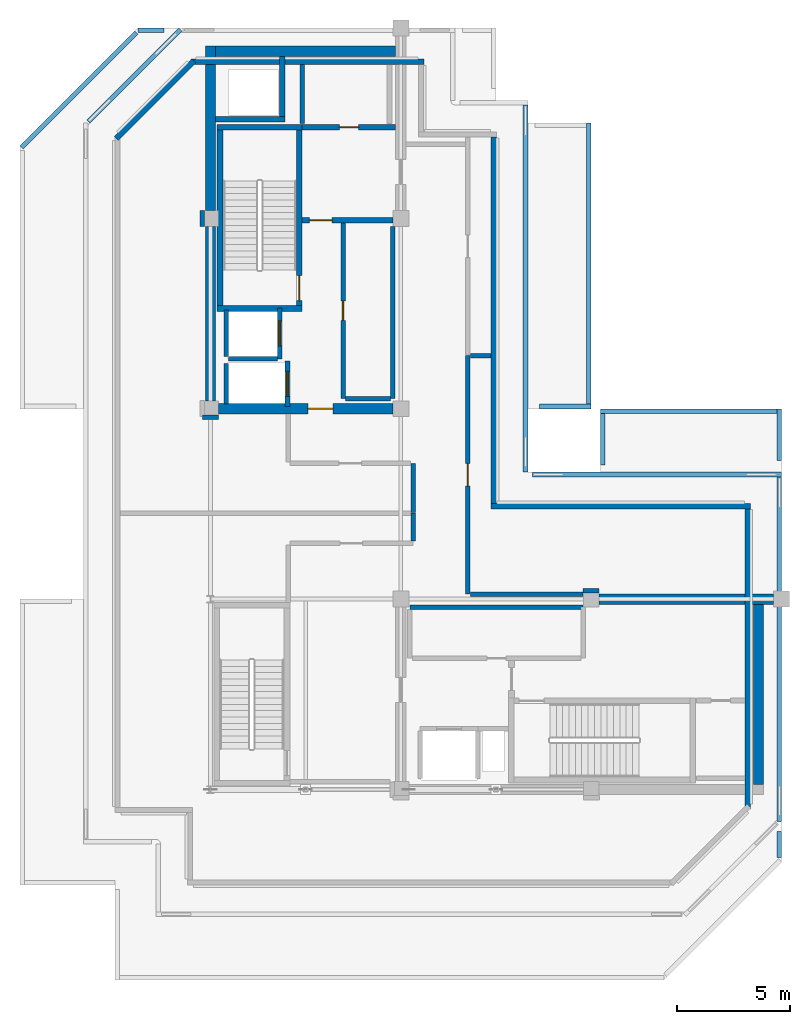
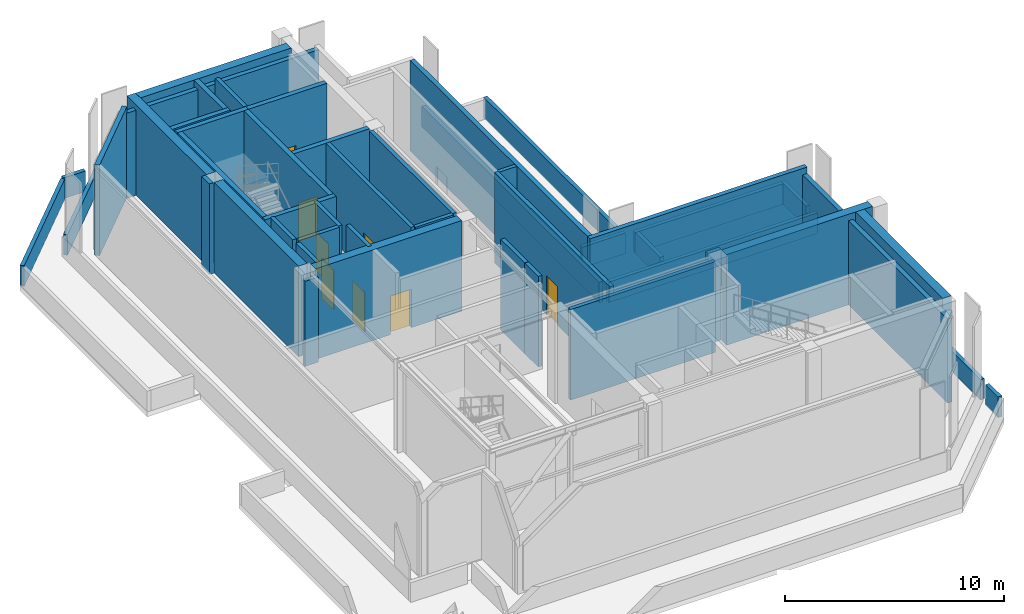
# One storey, part 5 of 9: 49 walls, 8 doors, 8 openings.
"""IFC4 building model written with IfcOpenShell, lengths in metres."""

import ifcopenshell
import ifcopenshell.guid

model = None  # the IFC model being written
_history = None  # IfcOwnerHistory: only IFC2X3 demands one
_inside = {}  # id of a spatial element -> (the spatial element, [elements in it])
_under = {}  # id of a project, library or spatial element -> (it, [spatial elements below it])
_declared = {}  # id of a project -> (the project, [libraries it declares])
_typed = {}  # id of a type object -> (the type object, [elements of that type])
_made_of = {}  # id of a material, layer set ... -> (it, [elements and type objects made of it])


def new_model(schema):
    """Start an empty IFC model of exactly this schema.

    Asked for "IFC4X3", IfcOpenShell would pick the latest addendum, in which some entities
    have other attributes; the version numbers below select the first issue.
    IFC2X3 requires an IfcOwnerHistory on every rooted entity: one is made here for all.
    """
    global model, _history
    if schema == "IFC4X3":
        model = ifcopenshell.file(schema_version=(4, 3, 0, 0))
    else:
        model = ifcopenshell.file(schema=schema)
    _inside.clear()
    _under.clear()
    _declared.clear()
    _typed.clear()
    _made_of.clear()
    _history = None
    if model.schema == "IFC2X3":
        org = make("IfcOrganization", Name="unknown")
        user = make(
            "IfcPersonAndOrganization",
            ThePerson=make("IfcPerson", FamilyName="unknown"),
            TheOrganization=org,
        )
        app = make(
            "IfcApplication",
            ApplicationDeveloper=org,
            Version="unknown",
            ApplicationFullName="unknown",
            ApplicationIdentifier="unknown",
        )
        _history = make(
            "IfcOwnerHistory",
            OwningUser=user,
            OwningApplication=app,
            ChangeAction="ADDED",
            CreationDate=0,
        )
    return model


def make(cls, **values):
    """One entity of the class cls with the attributes given. An attribute that is None is left unset."""
    return model.create_entity(
        cls, **{name: value for name, value in values.items() if value is not None}
    )


def rooted(cls, **values):
    """An entity with a GlobalId (a new one), such as an element, a storey or a relation."""
    return make(cls, GlobalId=ifcopenshell.guid.new(), OwnerHistory=_history, **values)


def si_unit(unit_type, name, prefix=None):
    """IfcSIUnit, for example si_unit("LENGTHUNIT", "METRE", prefix="MILLI")."""
    return make("IfcSIUnit", UnitType=unit_type, Prefix=prefix, Name=name)


def assignment(units):
    """IfcUnitAssignment: the units of a project."""
    return None if units is None else make("IfcUnitAssignment", Units=units)


def point(xyz):
    """IfcCartesianPoint."""
    return None if xyz is None else make("IfcCartesianPoint", Coordinates=xyz)


def direction(xyz):
    """IfcDirection."""
    return None if xyz is None else make("IfcDirection", DirectionRatios=xyz)


def frame(location, z_axis=None, x_axis=None):
    """IfcAxis2Placement3D, a coordinate frame: its origin and axes. An axis left out is left unset."""
    return make(
        "IfcAxis2Placement3D",
        Location=point(location),
        Axis=direction(z_axis),
        RefDirection=direction(x_axis),
    )


def frame_2d(location, x_axis=None):
    """IfcAxis2Placement2D, a coordinate frame in the plane: its origin and x axis."""
    return make(
        "IfcAxis2Placement2D", Location=point(location), RefDirection=direction(x_axis)
    )


def origin():
    """The frame at (0, 0, 0) with its axes left unset."""
    return frame((0.0, 0.0, 0.0))


def place(relative_to, where):
    """IfcLocalPlacement: puts the frame where relative to a parent placement (None: the world)."""
    return make(
        "IfcLocalPlacement", PlacementRelTo=relative_to, RelativePlacement=where
    )


def context(
    kind, dimensions, precision=None, world=None, true_north=None, identifier=None
):
    """IfcGeometricRepresentationContext, for example the 3D "Model" context."""
    return make(
        "IfcGeometricRepresentationContext",
        ContextIdentifier=identifier,
        ContextType=kind,
        CoordinateSpaceDimension=dimensions,
        Precision=precision,
        WorldCoordinateSystem=world,
        TrueNorth=true_north,
    )


def subcontext(parent, identifier, kind, view, scale=None):
    """IfcGeometricRepresentationSubContext, for example "Body" below "Model"."""
    return make(
        "IfcGeometricRepresentationSubContext",
        ContextIdentifier=identifier,
        ContextType=kind,
        ParentContext=parent,
        TargetScale=scale,
        TargetView=view,
    )


def project(units=None, contexts=None):
    """IfcProject with its units and contexts."""
    return rooted(
        "IfcProject",
        Name="project",
        RepresentationContexts=contexts,
        UnitsInContext=assignment(units),
    )


def spatial(cls, under=None, at=None, **own):
    """A site, building, storey or space (cls), placed at a placement, below another one or the project."""
    s = rooted(cls, ObjectPlacement=at, **own)
    if under is not None:
        _under.setdefault(under.id(), (under, []))[1].append(s)
    return s


def profile(cls, at=None, kind="AREA", **sizes):
    """A parametric profile (cls). Its sizes go by their IFC names, for example OverallWidth=200.0."""
    return make(cls, ProfileType=kind, Position=at, **sizes)


def rectangle(**sizes):
    """IfcRectangleProfileDef."""
    return profile("IfcRectangleProfileDef", **sizes)


def extrude(swept, where, along, depth):
    """IfcExtrudedAreaSolid: the profile swept, set in the frame where, extruded along a direction by depth."""
    return make(
        "IfcExtrudedAreaSolid",
        SweptArea=swept,
        Position=where,
        ExtrudedDirection=direction(along),
        Depth=depth,
    )


def shape(context_of_items, identifier, shape_type, items):
    """IfcShapeRepresentation: the items that make up one representation, for example the "Body"."""
    return make(
        "IfcShapeRepresentation",
        ContextOfItems=context_of_items,
        RepresentationIdentifier=identifier,
        RepresentationType=shape_type,
        Items=items,
    )


def material(Name=None, Category=None):
    """IfcMaterial."""
    return make("IfcMaterial", Name=Name, Category=Category)


def layer(
    of_material, thickness, ventilated=None, Name=None, Category=None, Priority=None
):
    """IfcMaterialLayer: one layer of a wall or slab, of a material (None: an air gap)."""
    return make(
        "IfcMaterialLayer",
        Material=of_material,
        LayerThickness=thickness,
        IsVentilated=ventilated,
        Name=Name,
        Category=Category,
        Priority=Priority,
    )


def layer_set(layers, Name=None):
    """IfcMaterialLayerSet."""
    return make("IfcMaterialLayerSet", MaterialLayers=layers, LayerSetName=Name)


def made_of(thing, what):
    """Note that an element or type object is made of a material, layer set ...; save() writes the relation."""
    if what is not None:
        _made_of.setdefault(what.id(), (what, []))[1].append(thing)
    return thing


def type_object(cls, material=None, **own):
    """A type object (cls), such as IfcWallType, which elements share."""
    return made_of(rooted(cls, **own), material)


def element(
    cls,
    number,
    at=None,
    inside=None,
    cuts=None,
    type_object=None,
    material=None,
    context=None,
    identifier="Body",
    shape_type=None,
    held_by="IfcProductDefinitionShape",
    body=None,
    shapes=None,
    **own,
):
    """One element of the class cls, such as IfcWall. Its Tag is "e" and its number.

    at: its placement. inside: the storey or other place that contains it. cuts: it is an
    opening in that element (IfcRelVoidsElement). A single representation is given by context,
    identifier, shape_type and body (its items); several are given by shapes. held_by: the class
    of the entity that holds the representations. save() writes the other relations.
    """
    e = rooted(cls, Tag="e%d" % number, ObjectPlacement=at, **own)
    if body is not None:
        shapes = [shape(context, identifier, shape_type, body)]
    if shapes is not None:
        e.Representation = make(held_by, Representations=shapes)
    if inside is not None:
        _inside.setdefault(inside.id(), (inside, []))[1].append(e)
    if cuts is not None:
        rooted(
            "IfcRelVoidsElement", RelatingBuildingElement=cuts, RelatedOpeningElement=e
        )
    if type_object is not None:
        _typed.setdefault(type_object.id(), (type_object, []))[1].append(e)
    return made_of(e, material)


def fill(opening, filler):
    """IfcRelFillsElement: the door or window that sits in an opening."""
    return rooted(
        "IfcRelFillsElement",
        RelatingOpeningElement=opening,
        RelatedBuildingElement=filler,
    )


def aggregate(whole, parts):
    """IfcRelAggregates: a whole, such as a stair, and the parts it consists of."""
    return rooted("IfcRelAggregates", RelatingObject=whole, RelatedObjects=parts)


def save(model, path):
    """Write the relations noted so far, then the file.

    IfcRelAggregates (storeys below a building ...), IfcRelContainedInSpatialStructure (elements
    in a storey), IfcRelDefinesByType, IfcRelAssociatesMaterial and IfcRelDeclares: one each for
    every whole, place, type object, material and project.
    """
    for whole, parts in _under.values():
        aggregate(whole, parts)
    for where, things in _inside.values():
        rooted(
            "IfcRelContainedInSpatialStructure",
            RelatedElements=things,
            RelatingStructure=where,
        )
    for kind, things in _typed.values():
        rooted("IfcRelDefinesByType", RelatedObjects=things, RelatingType=kind)
    for what, things in _made_of.values():
        rooted("IfcRelAssociatesMaterial", RelatedObjects=things, RelatingMaterial=what)
    for by, libraries in _declared.values():
        rooted("IfcRelDeclares", RelatingContext=by, RelatedDefinitions=libraries)
    model.write(path)


model = new_model("IFC4")

# Units and contexts
model_context = context("Model", 3, precision=1e-05, world=origin(), true_north=direction((0.0, 1.0)))
body_context = subcontext(model_context, "Body", "Model", "MODEL_VIEW")
ifc_project = project(units=[si_unit("LENGTHUNIT", "METRE"), si_unit("AREAUNIT", "SQUARE_METRE"), si_unit("VOLUMEUNIT", "CUBIC_METRE"), si_unit("PLANEANGLEUNIT", "RADIAN"), si_unit("MASSUNIT", "GRAM", prefix="KILO")], contexts=[model_context])

# Site, building, storey
site_placement = place(None, origin())
site = spatial("IfcSite", under=ifc_project, at=site_placement, CompositionType="ELEMENT")
building_placement = place(site_placement, origin())
building = spatial("IfcBuilding", under=site, at=building_placement, Name="Nerrivon Quay Data Exchange", CompositionType="ELEMENT")
storey_placement = place(building_placement, frame((0.0, 0.0, 333.0)))
storey = spatial("IfcBuildingStorey", under=building, at=storey_placement, Name="L79", CompositionType="ELEMENT", Elevation=333.0)

# Walls
ifc_material_1 = material(Name="Architectural terracotta precast concrete N50 (50 MPa)", Category="masonry")
ifc_layer_1 = layer(ifc_material_1, 0.239990234375)
ifc_layer_set_1 = layer_set([ifc_layer_1], Name="Architectural terracotta precast concrete N50 (50 MPa)")
wall_type_1 = type_object("IfcWallType", Name="EW-PREC-240", PredefinedType="STANDARD", material=ifc_layer_set_1)
wall_1_placement = place(storey_placement, frame((32.10009765625, 20.780029296875, 0.0), z_axis=(0.0, 0.0, 1.0), x_axis=(0.0, -1.0, 0.0)))
element("IfcWall", 1, at=wall_1_placement, inside=storey, type_object=wall_type_1, Name="L79 Recessed Turbine Plant Wall 1", PredefinedType="STANDARD", context=body_context, shape_type="SweptSolid", body=[
    extrude(rectangle(XDim=13.2333984375, YDim=0.239990234375, at=frame_2d((6.61669921875, 0.0))), origin(), (0.0, 0.0, 1.0), 4.69091796875),
])
wall_2_placement = place(storey_placement, frame((4.247314453125, 37.1259765625, 0.0), z_axis=(0.0, 0.0, 1.0), x_axis=(0.707106781187, 0.707106781187, 0.0)))
element("IfcWall", 2, at=wall_2_placement, inside=storey, type_object=wall_type_1, Name="L79 Recessed Turbine Plant Wall 7", PredefinedType="STANDARD", context=body_context, shape_type="SweptSolid", body=[
    extrude(rectangle(XDim=4.84619140625, YDim=0.239990234375, at=frame_2d((2.423095703125, 0.0))), origin(), (0.0, 0.0, 1.0), 5.050048828125),
])
wall_3_placement = place(storey_placement, frame((7.546630859375, 40.5, 0.0), z_axis=(0.0, 0.0, 1.0), x_axis=(1.0, 0.0, 0.0)))
element("IfcWall", 3, at=wall_3_placement, inside=storey, type_object=wall_type_1, Name="L79 Recessed Turbine Plant Wall 8", PredefinedType="STANDARD", context=body_context, shape_type="SweptSolid", body=[
    extrude(rectangle(XDim=10.2734375, YDim=0.239990234375, at=frame_2d((5.13671875, 0.0))), origin(), (0.0, 0.0, 1.0), 4.742919921875),
])
wall_4_placement = place(storey_placement, frame((20.89990234375, 37.179931640625, 0.0), z_axis=(0.0, 0.0, 1.0), x_axis=(0.0, -1.0, 0.0)))
element("IfcWall", 4, at=wall_4_placement, inside=storey, type_object=wall_type_1, Name="L79 Recessed Turbine Plant Wall 11", PredefinedType="STANDARD", context=body_context, shape_type="SweptSolid", body=[
    extrude(rectangle(XDim=16.159912109375, YDim=0.239990234375, at=frame_2d((8.080078125, 0.0))), origin(), (0.0, 0.0, 1.0), 5.050048828125),
])
wall_5_placement = place(storey_placement, frame((20.780029296875, 20.89990234375, 0.0), z_axis=(0.0, 0.0, 1.0), x_axis=(1.0, 0.0, 0.0)))
element("IfcWall", 5, at=wall_5_placement, inside=storey, type_object=wall_type_1, Name="L79 Recessed Turbine Plant Wall 12", PredefinedType="STANDARD", context=body_context, shape_type="SweptSolid", body=[
    extrude(rectangle(XDim=11.43994140625, YDim=0.239990234375, at=frame_2d((5.719970703125, 0.0))), origin(), (0.0, 0.0, 1.0), 5.050048828125),
])
ifc_material_2 = material(Name="Precast concrete N50 (50 MPa)", Category="concrete")
ifc_layer_2 = layer(ifc_material_2, 0.199951171875)
ifc_layer_set_2 = layer_set([ifc_layer_2], Name="Precast concrete N50 (50 MPa)")
wall_type_2 = type_object("IfcWallType", Name="PAR-RC-1", PredefinedType="PARAPET", material=ifc_layer_set_2)
wall_6_placement = place(storey_placement, frame((33.39990234375, 25.10009765625, 0.0), z_axis=(0.0, 0.0, 1.0), x_axis=(-1.0, 0.0, 0.0)))
element("IfcWall", 6, at=wall_6_placement, inside=storey, type_object=wall_type_2, Name="L79 Stepped Crown Parapet 1.1", PredefinedType="PARAPET", context=body_context, shape_type="SweptSolid", body=[
    extrude(rectangle(XDim=7.7998046875, YDim=0.199951171875, at=frame_2d((3.89990234375, 0.0))), origin(), (0.0, 0.0, 1.0), 1.14990234375),
])
wall_7_placement = place(storey_placement, frame((25.699951171875, 25.0, 0.0), z_axis=(0.0, 0.0, 1.0), x_axis=(0.0, -1.0, 0.0)))
element("IfcWall", 7, at=wall_7_placement, inside=storey, type_object=wall_type_2, Name="L79 Stepped Crown Parapet 1.2", PredefinedType="PARAPET", context=body_context, shape_type="SweptSolid", body=[
    extrude(rectangle(XDim=2.280029296875, YDim=0.199951171875, at=frame_2d((1.14013671875, 0.0))), origin(), (0.0, 0.0, 1.0), 1.14990234375),
])
wall_8_placement = place(storey_placement, frame((33.5, 5.39990234375, 0.0), z_axis=(0.0, 0.0, 1.0), x_axis=(0.0, 1.0, 0.0)))
element("IfcWall", 8, at=wall_8_placement, inside=storey, type_object=wall_type_2, Name="L79 Stepped Crown Parapet 1.9", PredefinedType="PARAPET", context=body_context, shape_type="SweptSolid", body=[
    extrude(rectangle(XDim=1.147705078125, YDim=0.199951171875, at=frame_2d((0.57373046875, 0.0))), origin(), (0.0, 0.0, 1.0), 1.14990234375),
])
wall_9_placement = place(storey_placement, frame((33.5, 22.919921875, 0.0), z_axis=(0.0, 0.0, 1.0), x_axis=(0.0, 1.0, 0.0)))
element("IfcWall", 9, at=wall_9_placement, inside=storey, type_object=wall_type_2, Name="L79 Stepped Crown Parapet 1.10", PredefinedType="PARAPET", context=body_context, shape_type="SweptSolid", body=[
    extrude(rectangle(XDim=2.280029296875, YDim=0.199951171875, at=frame_2d((1.14013671875, 0.0))), origin(), (0.0, 0.0, 1.0), 1.14990234375),
])
wall_10_placement = place(storey_placement, frame((6.347412109375, 41.89990234375, 0.0), z_axis=(0.0, 0.0, 1.0), x_axis=(-1.0, 0.0, 0.0)))
element("IfcWall", 10, at=wall_10_placement, inside=storey, type_object=wall_type_2, Name="L79 Stepped Crown Parapet 2.5", PredefinedType="PARAPET", context=body_context, shape_type="SweptSolid", body=[
    extrude(rectangle(XDim=1.1474609375, YDim=0.199951171875, at=frame_2d((0.57373046875, 0.0))), origin(), (0.0, 0.0, 1.0), 1.14990234375),
])
wall_11_placement = place(storey_placement, frame((5.12939453125, 41.787841796875, 0.0), z_axis=(0.0, 0.0, 1.0), x_axis=(-0.707106781187, -0.707106781187, 0.0)))
element("IfcWall", 11, at=wall_11_placement, inside=storey, type_object=wall_type_2, Name="L79 Stepped Crown Parapet 2.6", PredefinedType="PARAPET", context=body_context, shape_type="SweptSolid", body=[
    extrude(rectangle(XDim=7.154052734375, YDim=0.199951171875, at=frame_2d((3.5771484375, 0.0))), origin(), (0.0, 0.0, 1.0), 1.14990234375),
])
wall_12_placement = place(storey_placement, frame((22.919921875, 25.300048828125, 0.0), z_axis=(0.0, 0.0, 1.0), x_axis=(1.0, 0.0, 0.0)))
element("IfcWall", 12, at=wall_12_placement, inside=storey, type_object=wall_type_2, Name="L79 Stepped Crown Parapet 3.1", PredefinedType="PARAPET", context=body_context, shape_type="SweptSolid", body=[
    extrude(rectangle(XDim=2.280029296875, YDim=0.199951171875, at=frame_2d((1.14013671875, 0.0))), origin(), (0.0, 0.0, 1.0), 1.14990234375),
])
wall_13_placement = place(storey_placement, frame((25.10009765625, 25.39990234375, 0.0), z_axis=(0.0, 0.0, 1.0), x_axis=(0.0, 1.0, 0.0)))
element("IfcWall", 13, at=wall_13_placement, inside=storey, type_object=wall_type_2, Name="L79 Stepped Crown Parapet 3.2", PredefinedType="PARAPET", context=body_context, shape_type="SweptSolid", body=[
    extrude(rectangle(XDim=12.400146484375, YDim=0.199951171875, at=frame_2d((6.2001953125, 0.0))), origin(), (0.0, 0.0, 1.0), 1.14990234375),
])
wall_14_placement = place(storey_placement, frame((3.01220703125, 37.87060546875, 0.0), z_axis=(0.0, 0.0, 1.0), x_axis=(0.707106781187, 0.707106781187, 0.0)))
element("IfcWall", 14, at=wall_14_placement, inside=storey, type_object=wall_type_2, Name="L79 Turbine Slot Perimeter Parapet 6", PredefinedType="PARAPET", context=body_context, shape_type="SweptSolid", body=[
    extrude(rectangle(XDim=5.73974609375, YDim=0.199951171875, at=frame_2d((2.869873046875, 0.0))), origin(), (0.0, 0.0, 1.0), 1.14990234375),
])
wall_15_placement = place(storey_placement, frame((22.300048828125, 38.60009765625, 0.0), z_axis=(0.0, 0.0, 1.0), x_axis=(0.0, -1.0, 0.0)))
element("IfcWall", 15, at=wall_15_placement, inside=storey, type_object=wall_type_2, Name="L79 Turbine Slot Perimeter Parapet 10", PredefinedType="PARAPET", context=body_context, shape_type="SweptSolid", body=[
    extrude(rectangle(XDim=16.2001953125, YDim=0.199951171875, at=frame_2d((8.10009765625, 0.0))), origin(), (0.0, 0.0, 1.0), 1.14990234375),
])
wall_16_placement = place(storey_placement, frame((22.60009765625, 22.300048828125, 0.0), z_axis=(0.0, 0.0, 1.0), x_axis=(1.0, 0.0, 0.0)))
element("IfcWall", 16, at=wall_16_placement, inside=storey, type_object=wall_type_2, Name="L79 Turbine Slot Perimeter Parapet 11", PredefinedType="PARAPET", context=body_context, shape_type="SweptSolid", body=[
    extrude(rectangle(XDim=11.0, YDim=0.199951171875, at=frame_2d((5.5, 0.0))), origin(), (0.0, 0.0, 1.0), 1.14990234375),
])
wall_17_placement = place(storey_placement, frame((33.5, 22.199951171875, 0.0), z_axis=(0.0, 0.0, 1.0), x_axis=(0.0, -1.0, 0.0)))
element("IfcWall", 17, at=wall_17_placement, inside=storey, type_object=wall_type_2, Name="L79 Turbine Slot Perimeter Parapet 12", PredefinedType="PARAPET", context=body_context, shape_type="SweptSolid", body=[
    extrude(rectangle(XDim=15.199951171875, YDim=0.199951171875, at=frame_2d((7.60009765625, 0.0))), origin(), (0.0, 0.0, 1.0), 1.14990234375),
])
ifc_material_3 = material(Name="Concrete N50 (50 MPa)", Category="concrete")
ifc_layer_3 = layer(ifc_material_3, 0.449951171875)
ifc_layer_set_3 = layer_set([ifc_layer_3], Name="Concrete N50 (50 MPa)")
wall_type_3 = type_object("IfcWallType", Name="WALL-CW-550", PredefinedType="SHEAR", material=ifc_layer_set_3)
wall_18_placement = place(storey_placement, frame((8.39990234375, 25.550048828125, 0.0), z_axis=(0.0, 0.0, 1.0), x_axis=(0.0, 1.0, 0.0)))
element("IfcWall", 18, at=wall_18_placement, inside=storey, type_object=wall_type_3, Name="L79 West Split-Core Shear Wall WCW-W1", PredefinedType="SHEAR", context=body_context, shape_type="SweptSolid", body=[
    extrude(rectangle(XDim=7.699951171875, YDim=0.449951171875, at=frame_2d((3.85009765625, 0.0))), origin(), (0.0, 0.0, 1.0), 5.050048828125),
])
wall_19_placement = place(storey_placement, frame((8.39990234375, 33.949951171875, 0.0), z_axis=(0.0, 0.0, 1.0), x_axis=(0.0, 1.0, 0.0)))
element("IfcWall", 19, at=wall_19_placement, inside=storey, type_object=wall_type_3, Name="L79 West Split-Core Shear Wall WCW-W2", PredefinedType="SHEAR", context=body_context, shape_type="SweptSolid", body=[
    extrude(rectangle(XDim=7.25, YDim=0.449951171875, at=frame_2d((3.625, 0.0))), origin(), (0.0, 0.0, 1.0), 5.050048828125),
])
wall_20_placement = place(storey_placement, frame((8.625, 40.97509765625, 0.0), z_axis=(0.0, 0.0, 1.0), x_axis=(1.0, 0.0, 0.0)))
element("IfcWall", 20, at=wall_20_placement, inside=storey, type_object=wall_type_3, Name="L79 West Split-Core Shear Wall WCW-N1", PredefinedType="SHEAR", context=body_context, shape_type="SweptSolid", body=[
    extrude(rectangle(XDim=7.949951171875, YDim=0.449951171875, at=frame_2d((3.97509765625, 0.0))), origin(), (0.0, 0.0, 1.0), 5.050048828125),
])

# Wall, opening, door
wall_21_placement = place(storey_placement, frame((8.75, 25.199951171875, 0.0), z_axis=(0.0, 0.0, 1.0), x_axis=(1.0, 0.0, 0.0)))
wall_21 = element("IfcWall", 21, at=wall_21_placement, inside=storey, type_object=wall_type_3, Name="L79 West Split-Core Shear Wall WCW-S1", PredefinedType="SHEAR", context=body_context, shape_type="SweptSolid", body=[
    extrude(rectangle(XDim=7.699951171875, YDim=0.449951171875, at=frame_2d((3.85009765625, 0.0))), origin(), (0.0, 0.0, 1.0), 5.050048828125),
])
opening_1_placement = place(wall_21_placement, frame((3.949951171875, 0.0, 0.0)))
opening_1 = element("IfcOpeningElement", 22, at=opening_1_placement, cuts=wall_21, Name="Opening FD-120", PredefinedType="OPENING", context=body_context, shape_type="SweptSolid", body=[
    extrude(rectangle(XDim=1.10009765625, YDim=2.14990234375, at=frame_2d((0.550048828125, 1.074951171875))), frame((0.0, 0.23486328125, 0.0), z_axis=(0.0, -1.0, 0.0), x_axis=(1.0, 0.0, 0.0)), (0.0, 0.0, 1.0), 0.469970703125),
])
ifc_material_4 = material(Name="Powder-coated galvanized steel sheet", Category="steel")
door_type_1 = type_object("IfcDoorType", Name="DR-FD120-1100", OperationType="NOTDEFINED", PredefinedType="DOOR", material=ifc_material_4)
door_1_placement = place(opening_1_placement, origin())
door_1 = element("IfcDoor", 23, at=door_1_placement, inside=storey, type_object=door_type_1, Name="L79 West Core Lobby Fire Door", OperationType="SINGLE_SWING_LEFT", OverallHeight=2.14990234375, OverallWidth=1.10009765625, PredefinedType="DOOR", context=body_context, shape_type="SweptSolid", body=[
    extrude(rectangle(XDim=1.10009765625, YDim=2.14990234375, at=frame_2d((0.550048828125, 1.074951171875))), frame((0.0, 0.02490234375, 0.0), z_axis=(0.0, -1.0, 0.0), x_axis=(1.0, 0.0, 0.0)), (0.0, 0.0, 1.0), 0.050048828125),
])
fill(opening_1, door_1)

# Walls
wall_22_placement = place(storey_placement, frame((32.574951171875, 8.625, 0.0), z_axis=(0.0, 0.0, 1.0), x_axis=(0.0, 1.0, 0.0)))
element("IfcWall", 24, at=wall_22_placement, inside=storey, type_object=wall_type_3, Name="L79 East Split-Core Shear Wall ECW-E1", PredefinedType="SHEAR", context=body_context, shape_type="SweptSolid", body=[
    extrude(rectangle(XDim=7.949951171875, YDim=0.449951171875, at=frame_2d((3.97509765625, 0.0))), origin(), (0.0, 0.0, 1.0), 5.050048828125),
])
wall_23_placement = place(storey_placement, frame((25.550048828125, 16.800048828125, 0.0), z_axis=(0.0, 0.0, 1.0), x_axis=(1.0, 0.0, 0.0)))
element("IfcWall", 25, at=wall_23_placement, inside=storey, type_object=wall_type_3, Name="L79 East Split-Core Shear Wall ECW-N1", PredefinedType="SHEAR", context=body_context, shape_type="SweptSolid", body=[
    extrude(rectangle(XDim=7.699951171875, YDim=0.449951171875, at=frame_2d((3.85009765625, 0.0))), origin(), (0.0, 0.0, 1.0), 5.050048828125),
])

# Wall, opening, door
ifc_material_5 = material(Name="Gypsum plasterboard on cold-formed framing", Category="gypsum")
ifc_layer_4 = layer(ifc_material_5, 0.199951171875)
ifc_layer_set_4 = layer_set([ifc_layer_4], Name="Gypsum plasterboard on cold-formed framing")
wall_type_4 = type_object("IfcWallType", Name="WALL-FW-200", PredefinedType="PARTITIONING", material=ifc_layer_set_4)
wall_24_placement = place(storey_placement, frame((11.449951171875, 27.39990234375, 0.0), z_axis=(0.0, 0.0, 1.0), x_axis=(0.0, 1.0, 0.0)))
wall_24 = element("IfcWall", 26, at=wall_24_placement, inside=storey, type_object=wall_type_4, Name="L79 Lift Front Wall FFL-1", PredefinedType="PARTITIONING", context=body_context, shape_type="SweptSolid", body=[
    extrude(rectangle(XDim=2.25, YDim=0.199951171875, at=frame_2d((1.125, 0.0))), origin(), (0.0, 0.0, 1.0), 5.050048828125),
])
opening_2_placement = place(wall_24_placement, frame((0.574951171875, 0.0, 0.0)))
opening_2 = element("IfcOpeningElement", 27, at=opening_2_placement, cuts=wall_24, Name="Opening LD-120", PredefinedType="OPENING", context=body_context, shape_type="SweptSolid", body=[
    extrude(rectangle(XDim=1.10009765625, YDim=2.199951171875, at=frame_2d((0.550048828125, 1.10009765625))), frame((0.0, 0.10986328125, 0.0), z_axis=(0.0, -1.0, 0.0), x_axis=(1.0, 0.0, 0.0)), (0.0, 0.0, 1.0), 0.219970703125),
])
door_type_2 = type_object("IfcDoorType", Name="DR-LIFT-LD120", OperationType="DOUBLE_DOOR_SLIDING", PredefinedType="DOOR", material=ifc_material_4)
door_2_placement = place(opening_2_placement, origin())
door_2 = element("IfcDoor", 28, at=door_2_placement, inside=storey, type_object=door_type_2, Name="L79 Lift Landing Sliding Door FFL-1", OperationType="DOUBLE_DOOR_SLIDING", OverallHeight=2.199951171875, OverallWidth=1.10009765625, PredefinedType="DOOR", context=body_context, shape_type="SweptSolid", body=[
    extrude(rectangle(XDim=1.10009765625, YDim=2.199951171875, at=frame_2d((0.550048828125, 1.10009765625))), frame((0.0, 0.02490234375, 0.0), z_axis=(0.0, -1.0, 0.0), x_axis=(1.0, 0.0, 0.0)), (0.0, 0.0, 1.0), 0.050048828125),
])
fill(opening_2, door_2)

# Walls
wall_25_placement = place(storey_placement, frame((9.10009765625, 27.5, 0.0), z_axis=(0.0, 0.0, 1.0), x_axis=(0.0, 1.0, 0.0)))
element("IfcWall", 29, at=wall_25_placement, inside=storey, type_object=wall_type_4, Name="L79 Lift Shaft Wall FFL-1 WEST", PredefinedType="PARTITIONING", context=body_context, shape_type="SweptSolid", body=[
    extrude(rectangle(XDim=2.050048828125, YDim=0.199951171875, at=frame_2d((1.02490234375, 0.0))), origin(), (0.0, 0.0, 1.0), 5.050048828125),
])
wall_26_placement = place(storey_placement, frame((9.199951171875, 27.39990234375, 0.0), z_axis=(0.0, 0.0, 1.0), x_axis=(1.0, 0.0, 0.0)))
element("IfcWall", 30, at=wall_26_placement, inside=storey, type_object=wall_type_4, Name="L79 Lift Shaft Wall FFL-1 SOUTH", PredefinedType="PARTITIONING", context=body_context, shape_type="SweptSolid", body=[
    extrude(rectangle(XDim=2.150146484375, YDim=0.199951171875, at=frame_2d((1.0751953125, 0.0))), origin(), (0.0, 0.0, 1.0), 5.050048828125),
])

# Wall, opening, door
wall_27_placement = place(storey_placement, frame((11.800048828125, 25.300048828125, 0.0), z_axis=(0.0, 0.0, 1.0), x_axis=(0.0, 1.0, 0.0)))
wall_27 = element("IfcWall", 31, at=wall_27_placement, inside=storey, type_object=wall_type_4, Name="L79 Lift Front Wall SVL-1", PredefinedType="PARTITIONING", context=body_context, shape_type="SweptSolid", body=[
    extrude(rectangle(XDim=2.0, YDim=0.199951171875, at=frame_2d((1.0, 0.0))), origin(), (0.0, 0.0, 1.0), 5.050048828125),
])
opening_3_placement = place(wall_27_placement, frame((0.449951171875, 0.0, 0.0)))
opening_3 = element("IfcOpeningElement", 32, at=opening_3_placement, cuts=wall_27, Name="Opening LD-120", PredefinedType="OPENING", context=body_context, shape_type="SweptSolid", body=[
    extrude(rectangle(XDim=1.10009765625, YDim=2.199951171875, at=frame_2d((0.550048828125, 1.10009765625))), frame((0.0, 0.10986328125, 0.0), z_axis=(0.0, -1.0, 0.0), x_axis=(1.0, 0.0, 0.0)), (0.0, 0.0, 1.0), 0.219970703125),
])
door_3_placement = place(opening_3_placement, origin())
door_3 = element("IfcDoor", 33, at=door_3_placement, inside=storey, type_object=door_type_2, Name="L79 Lift Landing Sliding Door SVL-1", OperationType="DOUBLE_DOOR_SLIDING", OverallHeight=2.199951171875, OverallWidth=1.10009765625, PredefinedType="DOOR", context=body_context, shape_type="SweptSolid", body=[
    extrude(rectangle(XDim=1.10009765625, YDim=2.199951171875, at=frame_2d((0.550048828125, 1.10009765625))), frame((0.0, 0.02490234375, 0.0), z_axis=(0.0, -1.0, 0.0), x_axis=(1.0, 0.0, 0.0)), (0.0, 0.0, 1.0), 0.050048828125),
])
fill(opening_3, door_3)

# Walls
wall_28_placement = place(storey_placement, frame((9.10009765625, 25.39990234375, 0.0), z_axis=(0.0, 0.0, 1.0), x_axis=(0.0, 1.0, 0.0)))
element("IfcWall", 34, at=wall_28_placement, inside=storey, type_object=wall_type_4, Name="L79 Lift Shaft Wall SVL-1 WEST", PredefinedType="PARTITIONING", context=body_context, shape_type="SweptSolid", body=[
    extrude(rectangle(XDim=1.800048828125, YDim=0.199951171875, at=frame_2d((0.89990234375, 0.0))), origin(), (0.0, 0.0, 1.0), 5.050048828125),
])
wall_29_placement = place(storey_placement, frame((16.449951171875, 25.64990234375, 0.0), z_axis=(0.0, 0.0, 1.0), x_axis=(0.0, 1.0, 0.0)))
element("IfcWall", 35, at=wall_29_placement, inside=storey, type_object=wall_type_4, Name="L79 Partition Telemetry Hub Closet", PredefinedType="PARTITIONING", context=body_context, shape_type="SweptSolid", body=[
    extrude(rectangle(XDim=7.59521484375, YDim=0.199951171875, at=frame_2d((3.797607421875, 0.0))), origin(), (0.0, 0.0, 1.0), 5.050048828125),
])

# Wall, opening, door
wall_30_placement = place(storey_placement, frame((14.25, 33.389892578125, 0.0), z_axis=(0.0, 0.0, 1.0), x_axis=(0.0, -1.0, 0.0)))
wall_30 = element("IfcWall", 36, at=wall_30_placement, inside=storey, type_object=wall_type_4, Name="L79 Partition Telemetry Hub Closet", PredefinedType="PARTITIONING", context=body_context, shape_type="SweptSolid", body=[
    extrude(rectangle(XDim=7.739990234375, YDim=0.199951171875, at=frame_2d((3.8701171875, 0.0))), origin(), (0.0, 0.0, 1.0), 5.050048828125),
])
opening_4_placement = place(wall_30_placement, frame((3.445068359375, 0.0, 0.0)))
opening_4 = element("IfcOpeningElement", 37, at=opening_4_placement, cuts=wall_30, Name="Opening FD-60S", PredefinedType="OPENING", context=body_context, shape_type="SweptSolid", body=[
    extrude(rectangle(XDim=0.85009765625, YDim=2.14990234375, at=frame_2d((0.425048828125, 1.074951171875))), frame((0.0, 0.10986328125, 0.0), z_axis=(0.0, -1.0, 0.0), x_axis=(1.0, 0.0, 0.0)), (0.0, 0.0, 1.0), 0.219970703125),
])
ifc_material_6 = material(Name="Engineered hardwood timber", Category="wood")
door_type_3 = type_object("IfcDoorType", Name="DR-FD60-850", OperationType="NOTDEFINED", PredefinedType="DOOR", material=ifc_material_6)
door_4_placement = place(opening_4_placement, origin())
door_4 = element("IfcDoor", 38, at=door_4_placement, inside=storey, type_object=door_type_3, Name="L79 Door Telemetry Hub Closet", OperationType="SINGLE_SWING_RIGHT", OverallHeight=2.14990234375, OverallWidth=0.85009765625, PredefinedType="DOOR", context=body_context, shape_type="SweptSolid", body=[
    extrude(rectangle(XDim=0.85009765625, YDim=2.14990234375, at=frame_2d((0.425048828125, 1.074951171875))), frame((0.0, 0.02490234375, 0.0), z_axis=(0.0, -1.0, 0.0), x_axis=(1.0, 0.0, 0.0)), (0.0, 0.0, 1.0), 0.050048828125),
])
fill(opening_4, door_4)

# Walls
wall_31_placement = place(storey_placement, frame((14.35400390625, 25.64990234375, 0.0), z_axis=(0.0, 0.0, 1.0), x_axis=(1.0, 0.0, 0.0)))
element("IfcWall", 39, at=wall_31_placement, inside=storey, type_object=wall_type_4, Name="L79 Partition Telemetry Hub Closet", PredefinedType="PARTITIONING", context=body_context, shape_type="SweptSolid", body=[
    extrude(rectangle(XDim=1.991943359375, YDim=0.199951171875, at=frame_2d((0.99609375, 0.0))), origin(), (0.0, 0.0, 1.0), 5.050048828125),
])
wall_32_placement = place(storey_placement, frame((12.449951171875, 40.3759765625, 0.0), z_axis=(0.0, 0.0, 1.0), x_axis=(0.0, -1.0, 0.0)))
element("IfcWall", 40, at=wall_32_placement, inside=storey, type_object=wall_type_4, Name="L79 Partition Electrical Switchboard Closet", PredefinedType="PARTITIONING", context=body_context, shape_type="SweptSolid", body=[
    extrude(rectangle(XDim=2.595947265625, YDim=0.199951171875, at=frame_2d((1.2978515625, 0.0))), origin(), (0.0, 0.0, 1.0), 5.050048828125),
])
wall_33_placement = place(storey_placement, frame((24.844970703125, 16.449951171875, 0.0), z_axis=(0.0, 0.0, 1.0), x_axis=(-1.0, 0.0, 0.0)))
element("IfcWall", 41, at=wall_33_placement, inside=storey, type_object=wall_type_4, Name="L79 Partition High-Zone Telemetry Equipment Store", PredefinedType="PARTITIONING", context=body_context, shape_type="SweptSolid", body=[
    extrude(rectangle(XDim=7.64501953125, YDim=0.199951171875, at=frame_2d((3.822509765625, 0.0))), origin(), (0.0, 0.0, 1.0), 5.050048828125),
])
wall_34_placement = place(storey_placement, frame((17.340087890625, 19.364013671875, 0.0), z_axis=(0.0, 0.0, 1.0), x_axis=(0.0, 1.0, 0.0)))
element("IfcWall", 42, at=wall_34_placement, inside=storey, type_object=wall_type_4, Name="L79 Partition Crown Turbine Slot Switchgear Room", PredefinedType="PARTITIONING", context=body_context, shape_type="SweptSolid", body=[
    extrude(rectangle(XDim=1.236083984375, YDim=0.199951171875, at=frame_2d((0.6181640625, 0.0))), origin(), (0.0, 0.0, 1.0), 5.050048828125),
])
wall_35_placement = place(storey_placement, frame((17.340087890625, 20.6201171875, 0.0), z_axis=(0.0, 0.0, 1.0), x_axis=(0.0, 1.0, 0.0)))
element("IfcWall", 43, at=wall_35_placement, inside=storey, type_object=wall_type_4, Name="L79 Partition Turbine Exhaust AHU Fan Room", PredefinedType="PARTITIONING", context=body_context, shape_type="SweptSolid", body=[
    extrude(rectangle(XDim=2.169921875, YDim=0.199951171875, at=frame_2d((1.0849609375, 0.0))), origin(), (0.0, 0.0, 1.0), 5.050048828125),
])
wall_36_placement = place(storey_placement, frame((8.75390625, 24.830322265625, 0.0), z_axis=(0.0, 0.0, 1.0), x_axis=(-0.999999939844, -0.000346860888, 0.0)))
element("IfcWall", 44, at=wall_36_placement, inside=storey, type_object=wall_type_4, Name="L79 Partition Turbine Exhaust AHU Fan Room", PredefinedType="PARTITIONING", context=body_context, shape_type="SweptSolid", body=[
    extrude(rectangle(XDim=0.703857421875, YDim=0.199951171875, at=frame_2d((0.35205078125, 0.0))), origin(), (0.0, 0.0, 1.0), 4.742919921875),
])
wall_37_placement = place(storey_placement, frame((8.030517578125, 33.24609375, 0.0), z_axis=(0.0, 0.0, 1.0), x_axis=(-0.000693721651, 0.999999759375, 0.0)))
element("IfcWall", 45, at=wall_37_placement, inside=storey, type_object=wall_type_4, Name="L79 Partition Turbine Exhaust AHU Fan Room", PredefinedType="PARTITIONING", context=body_context, shape_type="SweptSolid", body=[
    extrude(rectangle(XDim=0.703857421875, YDim=0.199951171875, at=frame_2d((0.35205078125, 0.0))), origin(), (0.0, 0.0, 1.0), 5.050048828125),
])

# Wall, opening, door
wall_38_placement = place(storey_placement, frame((19.760009765625, 27.543701171875, 0.0), z_axis=(0.0, 0.0, 1.0), x_axis=(0.0, -1.0, 0.0)))
wall_38 = element("IfcWall", 46, at=wall_38_placement, inside=storey, type_object=wall_type_4, Name="L79 Partition Turbine Cooling Water Pump Room", PredefinedType="PARTITIONING", context=body_context, shape_type="SweptSolid", body=[
    extrude(rectangle(XDim=10.518798828125, YDim=0.199951171875, at=frame_2d((5.25927734375, 0.0))), origin(), (0.0, 0.0, 1.0), 5.050048828125),
])
opening_5_placement = place(wall_38_placement, frame((4.759521484375, 0.0, 0.0)))
opening_5 = element("IfcOpeningElement", 47, at=opening_5_placement, cuts=wall_38, Name="Opening FD-60", PredefinedType="OPENING", context=body_context, shape_type="SweptSolid", body=[
    extrude(rectangle(XDim=1.0, YDim=2.14990234375, at=frame_2d((0.5, 1.074951171875))), frame((0.0, 0.10986328125, 0.0), z_axis=(0.0, -1.0, 0.0), x_axis=(1.0, 0.0, 0.0)), (0.0, 0.0, 1.0), 0.219970703125),
])
door_type_4 = type_object("IfcDoorType", Name="DR-FD60-1000", OperationType="NOTDEFINED", PredefinedType="DOOR", material=ifc_material_6)
door_5_placement = place(opening_5_placement, origin())
door_5 = element("IfcDoor", 48, at=door_5_placement, inside=storey, type_object=door_type_4, Name="L79 Door Turbine Cooling Water Pump Room", OperationType="SINGLE_SWING_RIGHT", OverallHeight=2.14990234375, OverallWidth=1.0, PredefinedType="DOOR", context=body_context, shape_type="SweptSolid", body=[
    extrude(rectangle(XDim=1.0, YDim=2.14990234375, at=frame_2d((0.5, 1.074951171875))), frame((0.0, 0.02490234375, 0.0), z_axis=(0.0, -1.0, 0.0), x_axis=(1.0, 0.0, 0.0)), (0.0, 0.0, 1.0), 0.050048828125),
])
fill(opening_5, door_5)

# Walls
wall_39_placement = place(storey_placement, frame((19.864013671875, 17.02490234375, 0.0), z_axis=(0.0, 0.0, 1.0), x_axis=(1.0, 0.0, 0.0)))
element("IfcWall", 49, at=wall_39_placement, inside=storey, type_object=wall_type_4, Name="L79 Partition Turbine Cooling Water Pump Room", PredefinedType="PARTITIONING", context=body_context, shape_type="SweptSolid", body=[
    extrude(rectangle(XDim=4.966064453125, YDim=0.199951171875, at=frame_2d((2.48291015625, 0.0))), origin(), (0.0, 0.0, 1.0), 4.69091796875),
])
wall_40_placement = place(storey_placement, frame((24.84619140625, 17.169677734375, 0.0), z_axis=(0.0, 0.0, 1.0), x_axis=(0.999999939844, 0.000346860888, 0.0)))
element("IfcWall", 50, at=wall_40_placement, inside=storey, type_object=wall_type_4, Name="L79 Partition Turbine Cooling Water Pump Room", PredefinedType="PARTITIONING", context=body_context, shape_type="SweptSolid", body=[
    extrude(rectangle(XDim=0.703857421875, YDim=0.199951171875, at=frame_2d((0.35205078125, 0.0))), origin(), (0.0, 0.0, 1.0), 5.050048828125),
])
wall_41_placement = place(storey_placement, frame((20.77587890625, 27.543701171875, 0.0), z_axis=(0.0, 0.0, 1.0), x_axis=(-1.0, 0.0, 0.0)))
element("IfcWall", 51, at=wall_41_placement, inside=storey, type_object=wall_type_4, Name="L79 Partition Turbine Cooling Water Pump Room", PredefinedType="PARTITIONING", context=body_context, shape_type="SweptSolid", body=[
    extrude(rectangle(XDim=0.911865234375, YDim=0.199951171875, at=frame_2d((0.4560546875, 0.0))), origin(), (0.0, 0.0, 1.0), 5.050048828125),
])
ifc_layer_5 = layer(ifc_material_3, 0.25)
ifc_layer_set_5 = layer_set([ifc_layer_5], Name="Concrete N50 (50 MPa)")
wall_type_5 = type_object("IfcWallType", Name="WALL-SW-250", PredefinedType="SHEAR", material=ifc_layer_set_5)
for number, where, z_axis, x_axis, name in (
    (52, (12.449951171875, 29.625, 0.0), (0.0, 0.0, 1.0), (-1.0, 0.0, 0.0), "L79 ST01 Structural Stair Core Wall NEAR"),
    (53, (12.449951171875, 37.625, 0.0), (0.0, 0.0, 1.0), (-1.0, 0.0, 0.0), "L79 ST01 Structural Stair Core Wall FAR"),
):
    element("IfcWall", number, at=place(storey_placement, frame(where, z_axis=z_axis, x_axis=x_axis)), inside=storey, type_object=wall_type_5, Name=name, PredefinedType="SHEAR", context=body_context, shape_type="SweptSolid", body=[
        extrude(rectangle(XDim=3.75, YDim=0.25, at=frame_2d((1.875, 0.0))), origin(), (0.0, 0.0, 1.0), 5.050048828125),
    ])

# Wall, opening, door
wall_42_placement = place(storey_placement, frame((12.324951171875, 29.75, 0.0), z_axis=(0.0, 0.0, 1.0), x_axis=(0.0, 1.0, 0.0)))
wall_42 = element("IfcWall", 54, at=wall_42_placement, inside=storey, type_object=wall_type_5, Name="L79 ST01 Structural Stair Core Wall LEFT", PredefinedType="SHEAR", context=body_context, shape_type="SweptSolid", body=[
    extrude(rectangle(XDim=7.75, YDim=0.25, at=frame_2d((3.875, 0.0))), origin(), (0.0, 0.0, 1.0), 5.050048828125),
])
opening_6_placement = place(wall_42_placement, frame((0.219970703125, 0.0, 0.0)))
opening_6 = element("IfcOpeningElement", 55, at=opening_6_placement, cuts=wall_42, Name="Opening FD-120", PredefinedType="OPENING", context=body_context, shape_type="SweptSolid", body=[
    extrude(rectangle(XDim=1.10009765625, YDim=2.14990234375, at=frame_2d((0.550048828125, 1.074951171875))), frame((0.0, 0.135009765625, 0.0), z_axis=(0.0, -1.0, 0.0), x_axis=(1.0, 0.0, 0.0)), (0.0, 0.0, 1.0), 0.27001953125),
])
door_6_placement = place(opening_6_placement, origin())
door_6 = element("IfcDoor", 56, at=door_6_placement, inside=storey, type_object=door_type_1, Name="L79 Protected Stair Door ST01", OperationType="SINGLE_SWING_LEFT", OverallHeight=2.14990234375, OverallWidth=1.10009765625, PredefinedType="DOOR", context=body_context, shape_type="SweptSolid", body=[
    extrude(rectangle(XDim=1.10009765625, YDim=2.14990234375, at=frame_2d((0.550048828125, 1.074951171875))), frame((0.0, 0.02490234375, 0.0), z_axis=(0.0, -1.0, 0.0), x_axis=(1.0, 0.0, 0.0)), (0.0, 0.0, 1.0), 0.050048828125),
])
fill(opening_6, door_6)

# Walls
wall_43_placement = place(storey_placement, frame((8.824951171875, 29.75, 0.0), z_axis=(0.0, 0.0, 1.0), x_axis=(0.0, 1.0, 0.0)))
element("IfcWall", 57, at=wall_43_placement, inside=storey, type_object=wall_type_5, Name="L79 ST01 Structural Stair Core Wall RIGHT", PredefinedType="SHEAR", context=body_context, shape_type="SweptSolid", body=[
    extrude(rectangle(XDim=7.75, YDim=0.25, at=frame_2d((3.875, 0.0))), origin(), (0.0, 0.0, 1.0), 5.050048828125),
])
wall_44_placement = place(storey_placement, frame((8.625, 37.97509765625, 0.0), z_axis=(0.0, 0.0, 1.0), x_axis=(1.0, 0.0, 0.0)))
element("IfcWall", 58, at=wall_44_placement, inside=storey, type_object=wall_type_5, Name="L79 West Core MEP Riser Shaft Wall S", PredefinedType="SHEAR", context=body_context, shape_type="SweptSolid", body=[
    extrude(rectangle(XDim=3.074951171875, YDim=0.25, at=frame_2d((1.53759765625, 0.0))), origin(), (0.0, 0.0, 1.0), 5.050048828125),
])
wall_45_placement = place(storey_placement, frame((11.574951171875, 38.10009765625, 0.0), z_axis=(0.0, 0.0, 1.0), x_axis=(0.0, 1.0, 0.0)))
element("IfcWall", 59, at=wall_45_placement, inside=storey, type_object=wall_type_5, Name="L79 West Core MEP Riser Shaft Wall E", PredefinedType="SHEAR", context=body_context, shape_type="SweptSolid", body=[
    extrude(rectangle(XDim=2.64990234375, YDim=0.25, at=frame_2d((1.324951171875, 0.0))), origin(), (0.0, 0.0, 1.0), 5.050048828125),
])

# Wall, opening, door
wall_46_placement = place(storey_placement, frame((12.449951171875, 33.52001953125, 0.0), z_axis=(0.0, 0.0, 1.0), x_axis=(1.0, 0.0, 0.0)))
wall_46 = element("IfcWall", 60, at=wall_46_placement, inside=storey, type_object=wall_type_5, Name="L79 West Lobby Smoke-Stop Wall", PredefinedType="SHEAR", context=body_context, shape_type="SweptSolid", body=[
    extrude(rectangle(XDim=4.0, YDim=0.25, at=frame_2d((2.0, 0.0))), origin(), (0.0, 0.0, 1.0), 5.050048828125),
])
opening_7_placement = place(wall_46_placement, frame((0.320068359375, 0.0, 0.0)))
opening_7 = element("IfcOpeningElement", 61, at=opening_7_placement, cuts=wall_46, Name="Opening FD-60", PredefinedType="OPENING", context=body_context, shape_type="SweptSolid", body=[
    extrude(rectangle(XDim=1.0, YDim=2.14990234375, at=frame_2d((0.5, 1.074951171875))), frame((0.0, 0.135009765625, 0.0), z_axis=(0.0, -1.0, 0.0), x_axis=(1.0, 0.0, 0.0)), (0.0, 0.0, 1.0), 0.27001953125),
])
door_7_placement = place(opening_7_placement, origin())
door_7 = element("IfcDoor", 62, at=door_7_placement, inside=storey, type_object=door_type_4, Name="L79 West Firefighting Lobby Fire Door", OperationType="SINGLE_SWING_RIGHT", OverallHeight=2.14990234375, OverallWidth=1.0, PredefinedType="DOOR", context=body_context, shape_type="SweptSolid", body=[
    extrude(rectangle(XDim=1.0, YDim=2.14990234375, at=frame_2d((0.5, 1.074951171875))), frame((0.0, 0.02490234375, 0.0), z_axis=(0.0, -1.0, 0.0), x_axis=(1.0, 0.0, 0.0)), (0.0, 0.0, 1.0), 0.050048828125),
])
fill(opening_7, door_7)

wall_47_placement = place(storey_placement, frame((12.449951171875, 37.625, 0.0), z_axis=(0.0, 0.0, 1.0), x_axis=(1.0, 0.0, 0.0)))
wall_47 = element("IfcWall", 63, at=wall_47_placement, inside=storey, type_object=wall_type_5, Name="L79 West Firefighting Lobby Wall", PredefinedType="SHEAR", context=body_context, shape_type="SweptSolid", body=[
    extrude(rectangle(XDim=4.125, YDim=0.25, at=frame_2d((2.0625, 0.0))), origin(), (0.0, 0.0, 1.0), 5.050048828125),
])
opening_8_placement = place(wall_47_placement, frame((1.637451171875, 0.0, 0.0)))
opening_8 = element("IfcOpeningElement", 64, at=opening_8_placement, cuts=wall_47, Name="Opening FD-60S", PredefinedType="OPENING", context=body_context, shape_type="SweptSolid", body=[
    extrude(rectangle(XDim=0.85009765625, YDim=2.14990234375, at=frame_2d((0.425048828125, 1.074951171875))), frame((0.0, 0.135009765625, 0.0), z_axis=(0.0, -1.0, 0.0), x_axis=(1.0, 0.0, 0.0)), (0.0, 0.0, 1.0), 0.27001953125),
])
door_8_placement = place(opening_8_placement, origin())
door_8 = element("IfcDoor", 65, at=door_8_placement, inside=storey, type_object=door_type_3, Name="L79 Door Electrical Switchboard Closet", OperationType="SINGLE_SWING_LEFT", OverallHeight=2.14990234375, OverallWidth=0.85009765625, PredefinedType="DOOR", context=body_context, shape_type="SweptSolid", body=[
    extrude(rectangle(XDim=0.85009765625, YDim=2.14990234375, at=frame_2d((0.425048828125, 1.074951171875))), frame((0.0, 0.02490234375, 0.0), z_axis=(0.0, -1.0, 0.0), x_axis=(1.0, 0.0, 0.0)), (0.0, 0.0, 1.0), 0.050048828125),
])
fill(opening_8, door_8)

save(model, "model.ifc")
